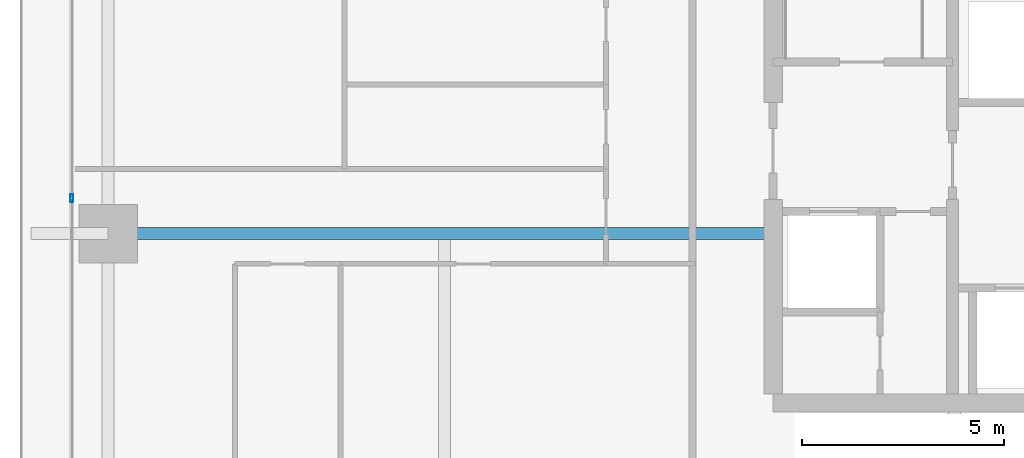
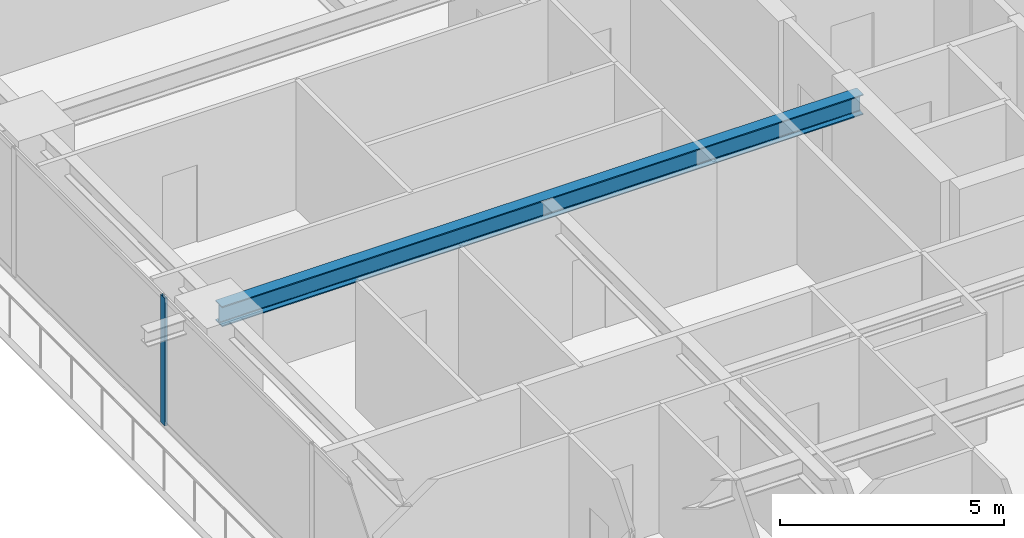
# One storey, part 7 of 38: 1 beam, 1 member, 1 element without a shape of its own.
"""IFC4 building model written with IfcOpenShell, lengths in metres."""

from ifc_helpers import new_model, si_unit, direction, frame, origin, origin_2d, place, context, subcontext, project, spatial, hollow_rectangle, i_section, extrude, source, transform, mapped, material, layer, layer_set, material_profile, profile_set, type_object, element, aggregate, save


model = new_model("IFC4")

# Units and contexts
model_context = context("Model", 3, precision=1e-05, world=origin(), true_north=direction((0.0, 1.0)))
body_context = subcontext(model_context, "Body", "Model", "MODEL_VIEW")
ifc_project = project(units=[si_unit("LENGTHUNIT", "METRE"), si_unit("AREAUNIT", "SQUARE_METRE"), si_unit("VOLUMEUNIT", "CUBIC_METRE"), si_unit("PLANEANGLEUNIT", "RADIAN"), si_unit("MASSUNIT", "GRAM", prefix="KILO")], contexts=[model_context])

# Site, building, storey
site_placement = place(None, origin())
site = spatial("IfcSite", under=ifc_project, at=site_placement, CompositionType="ELEMENT")
building_placement = place(site_placement, origin())
building = spatial("IfcBuilding", under=site, at=building_placement, Name="Serunith Strait Residences", CompositionType="ELEMENT")
storey_placement = place(building_placement, frame((0.0, 0.0, 30.449951171875)))
storey = spatial("IfcBuildingStorey", under=building, at=storey_placement, Name="L06", CompositionType="ELEMENT", Elevation=30.449951171875)

# Beam
ifc_material_1 = material(Name="Steel S355J2", Category="steel")
ifc_material_profile_1 = material_profile(ifc_material_1, i_section(OverallWidth=0.300048828125, OverallDepth=0.550048828125, WebThickness=0.014892578125, FlangeThickness=0.029052734375, FilletRadius=0.027099609375, at=origin_2d()), Name="HEB 550")
ifc_profile_set_1 = profile_set([ifc_material_profile_1], Name="Steel S355J2")
beam_type = type_object("IfcBeamType", Name="BM-HEB550", PredefinedType="BEAM", material=ifc_profile_set_1)
shared_shape_1 = source(origin(), body_context, "Body", "SweptSolid", [
    extrude(i_section(OverallWidth=0.300048828125, OverallDepth=0.550048828125, WebThickness=0.014892578125, FlangeThickness=0.029052734375, FilletRadius=0.027099609375, at=origin_2d()), origin(), (0.0, 0.0, 1.0), 16.5),
])
beam_placement = place(storey_placement, frame((23.39990234375, 21.0, 3.212158203125), z_axis=(-1.0, 0.0, 0.0), x_axis=(0.0, -1.0, 0.0)))
element("IfcBeam", 1, at=beam_placement, inside=storey, type_object=beam_type, Name="L06 Primary Floor Girder TC-W2", PredefinedType="BEAM", context=body_context, shape_type="MappedRepresentation", body=[
    mapped(shared_shape_1, transform((0.0, 0.0, 0.0), scale=1.0)),
])

# Curtain wall, member
ifc_material_2 = material(Name="Pale-Champagne Anodised Aluminium", Category="aluminium")
ifc_layer = layer(ifc_material_2, 0.199951171875, Name="Pale-Champagne Anodised Aluminium")
ifc_layer_set = layer_set([ifc_layer], Name="Pale-Champagne Anodised Aluminium")
curtain_wall_type = type_object("IfcCurtainWallType", Name="CW-SYS1", PredefinedType="NOTDEFINED", material=ifc_layer_set)
curtain_wall_placement = place(storey_placement, origin())
curtain_wall = element("IfcCurtainWall", 2, at=curtain_wall_placement, inside=storey, type_object=curtain_wall_type, Name="L06 W Unitised Fritted Curtain Wall", PredefinedType="NOTDEFINED")
ifc_material_profile_2 = material_profile(ifc_material_2, hollow_rectangle(XDim=0.070068359375, YDim=0.199951171875, WallThickness=0.00390625, InnerFilletRadius=0.006103515625, OuterFilletRadius=0.010009765625, at=origin_2d()), Name="ALU 200x70x4")
ifc_profile_set_2 = profile_set([ifc_material_profile_2], Name="Pale-Champagne Anodised Aluminium")
member_type = type_object("IfcMemberType", Name="CW-SYS1-MULL", PredefinedType="MULLION", material=ifc_profile_set_2)
shared_shape_2 = source(origin(), body_context, "Body", "SweptSolid", [
    extrude(hollow_rectangle(XDim=0.070068359375, YDim=0.199951171875, WallThickness=0.00390625, InnerFilletRadius=0.006103515625, OuterFilletRadius=0.010009765625, at=origin_2d()), origin(), (0.0, 0.0, 1.0), 3.47509765625),
])
member_placement = place(storey_placement, frame((6.0, 21.8798828125, 0.0), z_axis=(0.0, 0.0, 1.0), x_axis=(1.0, 0.0, 0.0)))
member = element("IfcMember", 3, at=member_placement, type_object=member_type, Name="CW-1 mullion 4", PredefinedType="MULLION", context=body_context, shape_type="MappedRepresentation", body=[
    mapped(shared_shape_2, transform((0.0, 0.0, 0.0), scale=1.0)),
])
aggregate(curtain_wall, [member])

save(model, "model.ifc")
